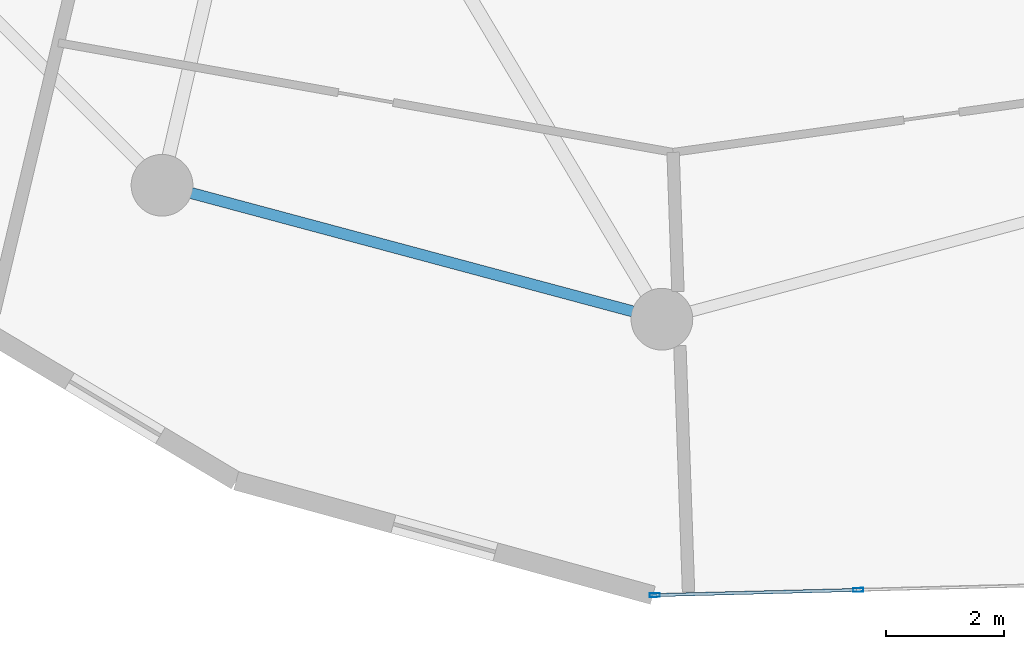
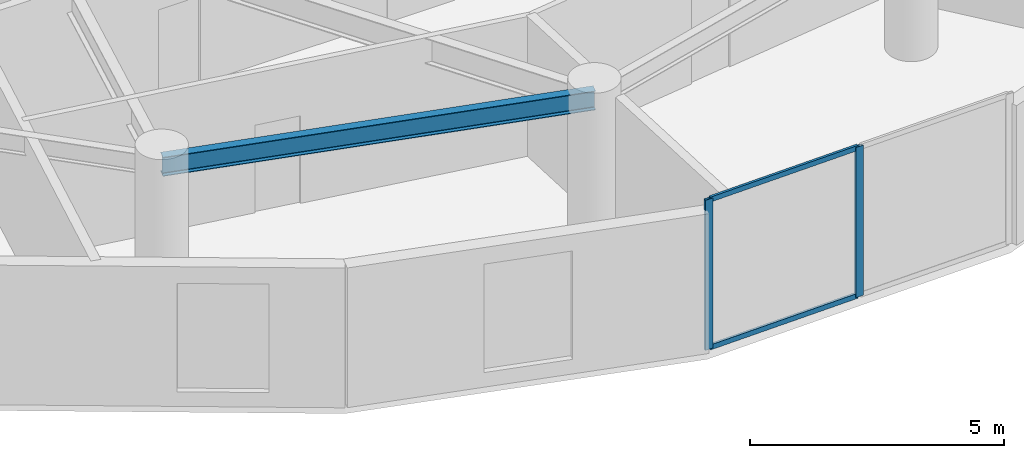
# One storey, part 3 of 25: 4 members, 1 beam, 1 element without a shape of its own.
"""IFC4 building model written with IfcOpenShell, lengths in metres."""

from ifc_helpers import new_model, si_unit, direction, frame, origin, origin_2d, place, context, subcontext, project, spatial, hollow_rectangle, i_section, extrude, source, transform, mapped, material, layer, layer_set, material_profile, profile_set, type_object, element, aggregate, save


model = new_model("IFC4")

# Units and contexts
model_context = context("Model", 3, precision=1e-05, world=origin(), true_north=direction((0.0, 1.0)))
body_context = subcontext(model_context, "Body", "Model", "MODEL_VIEW")
ifc_project = project(units=[si_unit("LENGTHUNIT", "METRE"), si_unit("AREAUNIT", "SQUARE_METRE"), si_unit("VOLUMEUNIT", "CUBIC_METRE"), si_unit("PLANEANGLEUNIT", "RADIAN"), si_unit("MASSUNIT", "GRAM", prefix="KILO")], contexts=[model_context])

# Site, building, storey
site_placement = place(None, origin())
site = spatial("IfcSite", under=ifc_project, at=site_placement, CompositionType="ELEMENT")
building_placement = place(site_placement, origin())
building = spatial("IfcBuilding", under=site, at=building_placement, Name="Solvirekh Grand Hotel", CompositionType="ELEMENT")
storey_placement = place(building_placement, frame((0.0, 0.0, 127.800048828125)))
storey = spatial("IfcBuildingStorey", under=building, at=storey_placement, Name="L32", CompositionType="ELEMENT", Elevation=127.800048828125)

# Beam
ifc_material_1 = material(Name="Steel S355", Category="steel")
ifc_material_profile_1 = material_profile(ifc_material_1, i_section(OverallWidth=0.18994140625, OverallDepth=0.45703125, WebThickness=0.009033203125, FlangeThickness=0.013916015625, FilletRadius=0.012939453125, at=origin_2d()), Name="W460X74")
ifc_profile_set_1 = profile_set([ifc_material_profile_1], Name="Steel S355")
beam_type = type_object("IfcBeamType", Name="Spandrel_Ring_W460", PredefinedType="SPANDREL", material=ifc_profile_set_1)
beam_placement = place(storey_placement, frame((-8.5, -14.721923828125, 3.1220703125), z_axis=(0.965911391906, -0.258872908946, 0.0), x_axis=(0.258872908946, 0.965911391906, 0.0)))
element("IfcBeam", 1, at=beam_placement, inside=storey, type_object=beam_type, Name="L32 perimeter spandrel beam 9", PredefinedType="SPANDREL", context=body_context, shape_type="SweptSolid", body=[
    extrude(i_section(OverallWidth=0.18994140625, OverallDepth=0.45703125, WebThickness=0.009033203125, FlangeThickness=0.013916015625, FilletRadius=0.012939453125, at=origin_2d()), origin(), (0.0, 0.0, 1.0), 8.800048828125),
])

# Curtain wall, members
ifc_material_2 = material(Name="Anodized Bronze Aluminium 6063-T6", Category="aluminium")
ifc_layer = layer(ifc_material_2, 0.175048828125)
ifc_layer_set = layer_set([ifc_layer], Name="Anodized Bronze Aluminium 6063-T6")
curtain_wall_type = type_object("IfcCurtainWallType", Name="CW_Sys3_MidZoneFlushBronzeCW", PredefinedType="NOTDEFINED", material=ifc_layer_set)
curtain_wall_placement = place(storey_placement, origin())
curtain_wall = element("IfcCurtainWall", 2, at=curtain_wall_placement, inside=storey, type_object=curtain_wall_type, Name="L32 unitised bronze-glass curtain wall CW-L32-C18", PredefinedType="NOTDEFINED")
ifc_material_profile_2 = material_profile(ifc_material_2, hollow_rectangle(XDim=0.06494140625, YDim=0.175048828125, WallThickness=0.0048828125, at=origin_2d()), Name="ALU RHS 175X65X5")
ifc_profile_set_2 = profile_set([ifc_material_profile_2], Name="Anodized Bronze Aluminium 6063-T6")
member_type_1 = type_object("IfcMemberType", Name="CWMullion_Sys3", PredefinedType="MULLION", material=ifc_profile_set_2)
shared_shape_1 = source(origin(), body_context, "Body", "SweptSolid", [
    extrude(hollow_rectangle(XDim=0.06494140625, YDim=0.175048828125, WallThickness=0.0048828125, at=origin_2d()), origin(), (0.0, 0.0, 1.0), 3.599853515625),
])
member_1_placement = place(storey_placement, frame((-0.12255859375, -21.692138671875, 0.0), z_axis=(0.0, 0.0, 1.0), x_axis=(-0.025610603562, 0.999671994699, 0.0)))
member_1 = element("IfcMember", 3, at=member_1_placement, type_object=member_type_1, Name="U03 mullion 1", PredefinedType="MULLION", context=body_context, shape_type="MappedRepresentation", body=[
    mapped(shared_shape_1, transform((0.0, 0.0, 0.0), x_axis=(1.0, 0.0, 0.0), y_axis=(0.0, 1.0, 0.0), z_axis=(0.0, 0.0, 1.0), scale=1.0)),
])
member_2_placement = place(storey_placement, frame((3.33837890625, -21.603515625, 0.0), z_axis=(0.0, 0.0, 1.0), x_axis=(-0.025610603562, 0.999671994699, 0.0)))
member_2 = element("IfcMember", 4, at=member_2_placement, type_object=member_type_1, Name="U03 mullion 2", PredefinedType="MULLION", context=body_context, shape_type="MappedRepresentation", body=[
    mapped(shared_shape_1, transform((0.0, 0.0, 0.0), x_axis=(1.0, 0.0, 0.0), y_axis=(0.0, 1.0, 0.0), z_axis=(0.0, 0.0, 1.0), scale=1.0)),
])
ifc_material_profile_3 = material_profile(ifc_material_2, hollow_rectangle(XDim=0.054931640625, YDim=0.1201171875, WallThickness=0.00390625, at=origin_2d()), Name="ALU RHS 120X55X4")
ifc_profile_set_3 = profile_set([ifc_material_profile_3], Name="Anodized Bronze Aluminium 6063-T6")
member_type_2 = type_object("IfcMemberType", Name="CWTransom_Sys3", PredefinedType="USERDEFINED", material=ifc_profile_set_3)
shared_shape_2 = source(origin(), body_context, "Body", "SweptSolid", [
    extrude(hollow_rectangle(XDim=0.054931640625, YDim=0.1201171875, WallThickness=0.00390625, at=origin_2d()), origin(), (0.0, 0.0, 1.0), 3.397216796875),
])
member_3_placement = place(storey_placement, frame((-0.090087890625, -21.69140625, 0.02734375), z_axis=(0.999670816778, 0.025656540733, 0.0), x_axis=(-0.025656540733, 0.999670816778, 0.0)))
member_3 = element("IfcMember", 5, at=member_3_placement, type_object=member_type_2, Name="U03 transom 1.1", ObjectType="TRANSOM", PredefinedType="USERDEFINED", context=body_context, shape_type="MappedRepresentation", body=[
    mapped(shared_shape_2, transform((0.0, 0.0, 0.0), x_axis=(1.0, 0.0, 0.0), y_axis=(0.0, 1.0, 0.0), z_axis=(0.0, 0.0, 1.0), scale=1.0)),
])
member_4_placement = place(storey_placement, frame((-0.090087890625, -21.69140625, 3.572509765625), z_axis=(0.999670816778, 0.025656540733, 0.0), x_axis=(-0.025656540733, 0.999670816778, 0.0)))
member_4 = element("IfcMember", 6, at=member_4_placement, type_object=member_type_2, Name="U03 transom 1.2", ObjectType="TRANSOM", PredefinedType="USERDEFINED", context=body_context, shape_type="MappedRepresentation", body=[
    mapped(shared_shape_2, transform((0.0, 0.0, 0.0), x_axis=(1.0, 0.0, 0.0), y_axis=(0.0, 1.0, 0.0), z_axis=(0.0, 0.0, 1.0), scale=1.0)),
])
aggregate(curtain_wall, [member_1, member_2, member_3, member_4])

save(model, "model.ifc")
